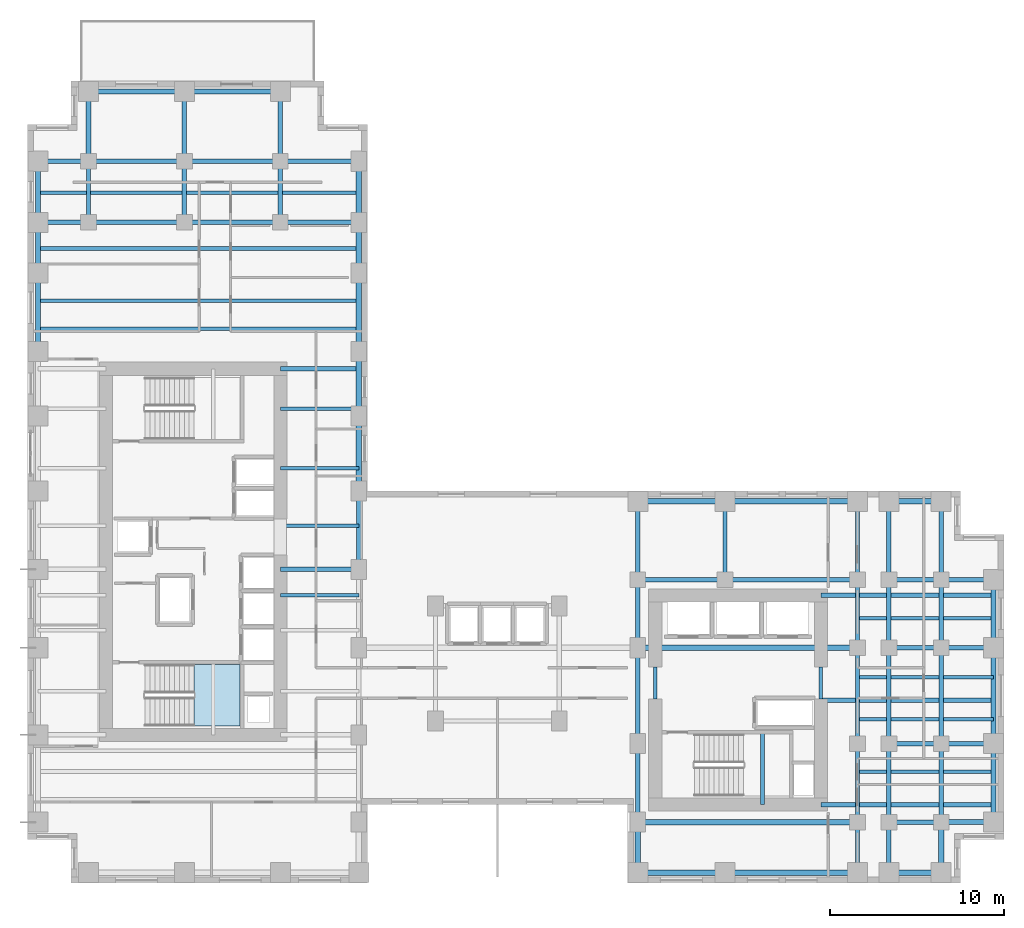
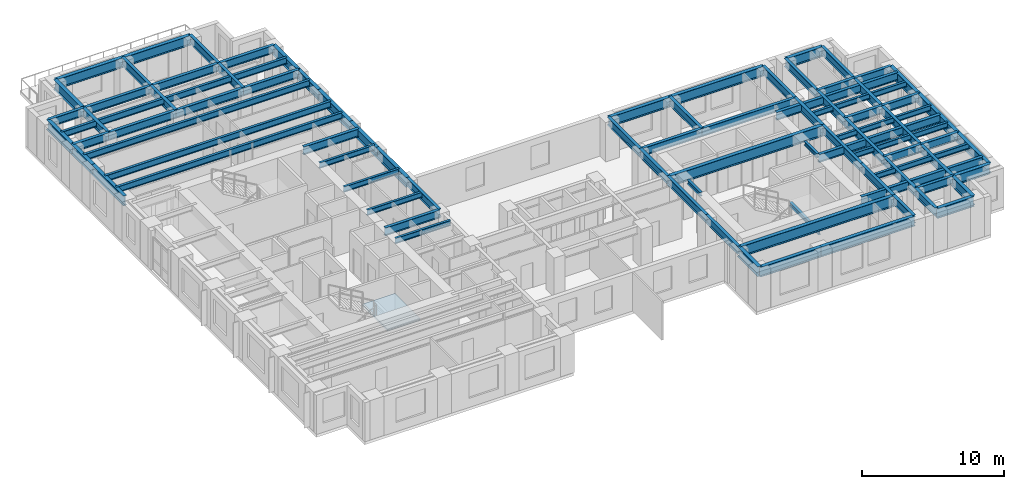
# One storey, part 3 of 13: 87 beams, 1 slab, 1 element without a shape of its own.
"""IFC4 building model written with IfcOpenShell, lengths in metres."""

from ifc_helpers import new_model, si_unit, direction, frame, origin, origin_2d, place, context, subcontext, project, spatial, polyline, i_section, outline, extrude, source, transform, mapped, material, layer, layer_set, material_profile, profile_set, type_object, element, aggregate, save


model = new_model("IFC4")

# Units and contexts
model_context = context("Model", 3, precision=1e-05, world=origin(), true_north=direction((0.0, 1.0)))
body_context = subcontext(model_context, "Body", "Model", "MODEL_VIEW")
ifc_project = project(units=[si_unit("LENGTHUNIT", "METRE"), si_unit("AREAUNIT", "SQUARE_METRE"), si_unit("VOLUMEUNIT", "CUBIC_METRE"), si_unit("PLANEANGLEUNIT", "RADIAN"), si_unit("MASSUNIT", "GRAM", prefix="KILO")], contexts=[model_context])

# Site, building, storey
site_placement = place(None, origin())
site = spatial("IfcSite", under=ifc_project, at=site_placement, CompositionType="ELEMENT")
building_placement = place(site_placement, origin())
building = spatial("IfcBuilding", under=site, at=building_placement, Name="Kharzan Plaza Tower", CompositionType="ELEMENT")
storey_placement = place(building_placement, frame((0.0, 0.0, 77.39990234375)))
storey = spatial("IfcBuildingStorey", under=building, at=storey_placement, Name="L20", CompositionType="ELEMENT", Elevation=77.39990234375)

# Beams
ifc_material_1 = material(Name="Steel S355", Category="steel")
ifc_material_profile_1 = material_profile(ifc_material_1, i_section(OverallWidth=0.205078125, OverallDepth=0.35400390625, WebThickness=0.009521484375, FlangeThickness=0.016845703125, at=origin_2d()), Name="W360x79")
ifc_profile_set_1 = profile_set([ifc_material_profile_1], Name="Steel S355")
beam_type_1 = type_object("IfcBeamType", Name="BM-LNT360", PredefinedType="LINTEL", material=ifc_profile_set_1)
shared_shape_1 = source(origin(), body_context, "Body", "SweptSolid", [
    extrude(i_section(OverallWidth=0.205078125, OverallDepth=0.35400390625, WebThickness=0.009521484375, FlangeThickness=0.016845703125, at=origin_2d()), origin(), (0.0, 0.0, 1.0), 1.849853515625),
])
for number, where, z_axis, x_axis, name in (
    (1, (45.5, 10.550048828125, 3.203125), (0.0, 1.0, 0.0), (-1.0, 0.0, 0.0), "L20 CORE-B coupling lintel LN1-WE"),
    (2, (36.0, 10.550048828125, 3.203125), (0.0, 1.0, 0.0), (-1.0, 0.0, 0.0), "L20 CORE-B coupling lintel LN1-WW"),
):
    element("IfcBeam", number, at=place(storey_placement, frame(where, z_axis=z_axis, x_axis=x_axis)), inside=storey, type_object=beam_type_1, Name=name, PredefinedType="LINTEL", context=body_context, shape_type="MappedRepresentation", body=[
        mapped(shared_shape_1, transform((0.0, 0.0, 0.0), x_axis=(1.0, 0.0, 0.0), y_axis=(0.0, 1.0, 0.0), z_axis=(0.0, 0.0, 1.0))),
    ])
shared_shape_2 = source(origin(), body_context, "Body", "SweptSolid", [
    extrude(i_section(OverallWidth=0.205078125, OverallDepth=0.35400390625, WebThickness=0.009521484375, FlangeThickness=0.016845703125, at=origin_2d()), origin(), (0.0, 0.0, 1.0), 4.155029296875),
])
beam_1_placement = place(storey_placement, frame((42.14990234375, 4.5, 1.423095703125), z_axis=(0.0, 1.0, 0.0), x_axis=(-1.0, 0.0, 0.0)))
element("IfcBeam", 3, at=beam_1_placement, inside=storey, type_object=beam_type_1, Name="L20 Stair ST-3 Half-Landing Beam", PredefinedType="LINTEL", context=body_context, shape_type="MappedRepresentation", body=[
    mapped(shared_shape_2, transform((0.0, 0.0, 0.0), x_axis=(1.0, 0.0, 0.0), y_axis=(0.0, 1.0, 0.0), z_axis=(0.0, 0.0, 1.0))),
])
ifc_material_profile_2 = material_profile(ifc_material_1, i_section(OverallWidth=0.304931640625, OverallDepth=0.9189453125, WebThickness=0.017333984375, FlangeThickness=0.02783203125, at=origin_2d()), Name="W920x253")
ifc_profile_set_2 = profile_set([ifc_material_profile_2], Name="Steel S355")
beam_type_2 = type_object("IfcBeamType", Name="BM-FG920B", PredefinedType="BEAM", material=ifc_profile_set_2)
shared_shape_3 = source(origin(), body_context, "Body", "SweptSolid", [
    extrude(i_section(OverallWidth=0.304931640625, OverallDepth=0.9189453125, WebThickness=0.017333984375, FlangeThickness=0.02783203125, at=origin_2d()), origin(), (0.0, 0.0, 1.0), 12.60009765625),
])
for number, where, z_axis, x_axis, name in (
    (4, (35.0, 3.5, 2.920654296875), (1.0, 0.0, 0.0), (0.0, 1.0, 0.0), "L20 Primary Floor Girder"),
    (5, (35.0, 13.5, 2.920654296875), (1.0, 0.0, 0.0), (0.0, 1.0, 0.0), "L20 Primary Floor Girder"),
):
    element("IfcBeam", number, at=place(storey_placement, frame(where, z_axis=z_axis, x_axis=x_axis)), inside=storey, type_object=beam_type_2, Name=name, PredefinedType="BEAM", context=body_context, shape_type="MappedRepresentation", body=[
        mapped(shared_shape_3, transform((0.0, 0.0, 0.0), x_axis=(1.0, 0.0, 0.0), y_axis=(0.0, 1.0, 0.0), z_axis=(0.0, 0.0, 1.0))),
    ])
ifc_material_profile_3 = material_profile(ifc_material_1, i_section(OverallWidth=0.2099609375, OverallDepth=0.537109375, WebThickness=0.010986328125, FlangeThickness=0.017333984375, at=origin_2d()), Name="W530x101")
ifc_profile_set_3 = profile_set([ifc_material_profile_3], Name="Steel S355")
beam_type_3 = type_object("IfcBeamType", Name="BM-JST530B", PredefinedType="JOIST", material=ifc_profile_set_3)
shared_shape_4 = source(origin(), body_context, "Body", "SweptSolid", [
    extrude(i_section(OverallWidth=0.2099609375, OverallDepth=0.537109375, WebThickness=0.010986328125, FlangeThickness=0.017333984375, at=origin_2d()), origin(), (0.0, 0.0, 1.0), 18.39990234375),
])
for number, where, z_axis, x_axis, name in (
    (6, (0.60009765625, 31.800048828125, 3.111572265625), (1.0, 0.0, 0.0), (0.0, 1.0, 0.0), "L20 Wing A Composite Joist 04"),
    (7, (0.60009765625, 33.39990234375, 3.111572265625), (1.0, 0.0, 0.0), (0.0, 1.0, 0.0), "L20 Wing A Composite Joist 05"),
    (8, (0.60009765625, 36.39990234375, 3.111572265625), (1.0, 0.0, 0.0), (0.0, 1.0, 0.0), "L20 Wing A Composite Joist 06"),
    (9, (0.60009765625, 39.60009765625, 3.111572265625), (1.0, 0.0, 0.0), (0.0, 1.0, 0.0), "L20 Wing A Composite Joist 07"),
):
    element("IfcBeam", number, at=place(storey_placement, frame(where, z_axis=z_axis, x_axis=x_axis)), inside=storey, type_object=beam_type_3, Name=name, PredefinedType="JOIST", context=body_context, shape_type="MappedRepresentation", body=[
        mapped(shared_shape_4, transform((0.0, 0.0, 0.0), x_axis=(1.0, 0.0, 0.0), y_axis=(0.0, 1.0, 0.0), z_axis=(0.0, 0.0, 1.0))),
    ])
ifc_material_profile_4 = material_profile(ifc_material_1, i_section(OverallWidth=0.194091796875, OverallDepth=0.468994140625, WebThickness=0.011474609375, FlangeThickness=0.0205078125, at=origin_2d()), Name="W460x106")
ifc_profile_set_4 = profile_set([ifc_material_profile_4], Name="Steel S355")
beam_type_4 = type_object("IfcBeamType", Name="BM-JST460", PredefinedType="JOIST", material=ifc_profile_set_4)
shared_shape_5 = source(origin(), body_context, "Body", "SweptSolid", [
    extrude(i_section(OverallWidth=0.194091796875, OverallDepth=0.468994140625, WebThickness=0.011474609375, FlangeThickness=0.0205078125, at=origin_2d()), origin(), (0.0, 0.0, 1.0), 4.5),
])
for number, where, z_axis, x_axis, name in (
    (10, (14.5, 16.5, 3.1455078125), (1.0, 0.0, 0.0), (0.0, 1.0, 0.0), "L20 Wing A East Infill Joist 3"),
    (11, (14.5, 20.5, 3.1455078125), (1.0, 0.0, 0.0), (0.0, 1.0, 0.0), "L20 Wing A East Infill Joist 4"),
    (12, (14.5, 23.800048828125, 3.1455078125), (1.0, 0.0, 0.0), (0.0, 1.0, 0.0), "L20 Wing A East Infill Joist 5"),
    (13, (14.5, 27.199951171875, 3.1455078125), (1.0, 0.0, 0.0), (0.0, 1.0, 0.0), "L20 Wing A East Infill Joist 6"),
):
    element("IfcBeam", number, at=place(storey_placement, frame(where, z_axis=z_axis, x_axis=x_axis)), inside=storey, type_object=beam_type_4, Name=name, PredefinedType="JOIST", context=body_context, shape_type="MappedRepresentation", body=[
        mapped(shared_shape_5, transform((0.0, 0.0, 0.0), x_axis=(1.0, 0.0, 0.0), y_axis=(0.0, 1.0, 0.0), z_axis=(0.0, 0.0, 1.0))),
    ])
ifc_material_profile_5 = material_profile(ifc_material_1, i_section(OverallWidth=0.25390625, OverallDepth=0.68798828125, WebThickness=0.01318359375, FlangeThickness=0.02099609375, at=origin_2d()), Name="W690x152")
ifc_profile_set_5 = profile_set([ifc_material_profile_5], Name="Steel S355")
beam_type_5 = type_object("IfcBeamType", Name="BM-FG690B", PredefinedType="BEAM", material=ifc_profile_set_5)
shared_shape_6 = source(origin(), body_context, "Body", "SweptSolid", [
    extrude(i_section(OverallWidth=0.25390625, OverallDepth=0.68798828125, WebThickness=0.01318359375, FlangeThickness=0.02099609375, at=origin_2d()), origin(), (0.0, 0.0, 1.0), 4.5),
])
for number, where, z_axis, x_axis, name in (
    (14, (14.5, 18.0, 3.0361328125), (1.0, 0.0, 0.0), (0.0, 1.0, 0.0), "L20 Core-A East Floor Girder 2"),
    (15, (14.5, 29.5, 3.0361328125), (1.0, 0.0, 0.0), (0.0, 1.0, 0.0), "L20 Core-A East Floor Girder 3"),
    (16, (19.0, 18.0, 3.0361328125), (0.0, 1.0, 0.0), (-1.0, 0.0, 0.0), "L20 Interior Frame Girder"),
    (17, (35.0, 3.5, 3.0361328125), (0.0, 1.0, 0.0), (-1.0, 0.0, 0.0), "L20 Interior Frame Girder"),
    (18, (35.0, 17.39990234375, 3.0361328125), (0.0, 1.0, 0.0), (-1.0, 0.0, 0.0), "L20 Interior Frame Girder"),
    (19, (40.0, 17.39990234375, 3.0361328125), (0.0, 1.0, 0.0), (-1.0, 0.0, 0.0), "L20 Interior Frame Girder"),
    (20, (47.60009765625, 3.5, 3.0361328125), (0.0, 1.0, 0.0), (-1.0, 0.0, 0.0), "L20 Interior Frame Girder"),
    (21, (47.60009765625, 17.39990234375, 3.0361328125), (0.0, 1.0, 0.0), (-1.0, 0.0, 0.0), "L20 Interior Frame Girder"),
    (22, (49.39990234375, 3.5, 3.0361328125), (0.0, 1.0, 0.0), (-1.0, 0.0, 0.0), "L20 Interior Frame Girder"),
    (23, (49.39990234375, 17.39990234375, 3.0361328125), (0.0, 1.0, 0.0), (-1.0, 0.0, 0.0), "L20 Interior Frame Girder"),
    (24, (52.39990234375, 3.5, 3.0361328125), (0.0, 1.0, 0.0), (-1.0, 0.0, 0.0), "L20 Interior Frame Girder"),
    (25, (52.39990234375, 17.39990234375, 3.0361328125), (0.0, 1.0, 0.0), (-1.0, 0.0, 0.0), "L20 Interior Frame Girder"),
    (26, (14.5, 37.89990234375, 3.0361328125), (1.0, 0.0, 0.0), (0.0, 1.0, 0.0), "L20 Primary Floor Girder"),
    (27, (14.5, 41.39990234375, 3.0361328125), (1.0, 0.0, 0.0), (0.0, 1.0, 0.0), "L20 Primary Floor Girder"),
):
    element("IfcBeam", number, at=place(storey_placement, frame(where, z_axis=z_axis, x_axis=x_axis)), inside=storey, type_object=beam_type_5, Name=name, PredefinedType="BEAM", context=body_context, shape_type="MappedRepresentation", body=[
        mapped(shared_shape_6, transform((0.0, 0.0, 0.0), x_axis=(1.0, 0.0, 0.0), y_axis=(0.0, 1.0, 0.0), z_axis=(0.0, 0.0, 1.0))),
    ])
shared_shape_7 = source(origin(), body_context, "Body", "SweptSolid", [
    extrude(i_section(OverallWidth=0.25390625, OverallDepth=0.68798828125, WebThickness=0.01318359375, FlangeThickness=0.02099609375, at=origin_2d()), origin(), (0.0, 0.0, 1.0), 3.89990234375),
])
for number, where, z_axis, x_axis, name in (
    (28, (35.0, 13.5, 3.0361328125), (0.0, 1.0, 0.0), (-1.0, 0.0, 0.0), "L20 Interior Frame Girder"),
    (29, (47.60009765625, 13.5, 3.0361328125), (0.0, 1.0, 0.0), (-1.0, 0.0, 0.0), "L20 Interior Frame Girder"),
    (30, (49.39990234375, 13.5, 3.0361328125), (0.0, 1.0, 0.0), (-1.0, 0.0, 0.0), "L20 Interior Frame Girder"),
    (31, (52.39990234375, 13.5, 3.0361328125), (0.0, 1.0, 0.0), (-1.0, 0.0, 0.0), "L20 Interior Frame Girder"),
):
    element("IfcBeam", number, at=place(storey_placement, frame(where, z_axis=z_axis, x_axis=x_axis)), inside=storey, type_object=beam_type_5, Name=name, PredefinedType="BEAM", context=body_context, shape_type="MappedRepresentation", body=[
        mapped(shared_shape_7, transform((0.0, 0.0, 0.0), x_axis=(1.0, 0.0, 0.0), y_axis=(0.0, 1.0, 0.0), z_axis=(0.0, 0.0, 1.0))),
    ])
shared_shape_8 = source(origin(), body_context, "Body", "SweptSolid", [
    extrude(i_section(OverallWidth=0.25390625, OverallDepth=0.68798828125, WebThickness=0.01318359375, FlangeThickness=0.02099609375, at=origin_2d()), origin(), (0.0, 0.0, 1.0), 9.89990234375),
])
for number, where, z_axis, x_axis, name in (
    (32, (45.5, 4.5, 3.0361328125), (1.0, 0.0, 0.0), (0.0, 1.0, 0.0), "L20 Core-B East Floor Girder 1"),
    (33, (45.5, 10.5, 3.0361328125), (1.0, 0.0, 0.0), (0.0, 1.0, 0.0), "L20 Core-B East Floor Girder 2"),
    (34, (45.5, 16.5, 3.0361328125), (1.0, 0.0, 0.0), (0.0, 1.0, 0.0), "L20 Core-B East Floor Girder 3"),
):
    element("IfcBeam", number, at=place(storey_placement, frame(where, z_axis=z_axis, x_axis=x_axis)), inside=storey, type_object=beam_type_5, Name=name, PredefinedType="BEAM", context=body_context, shape_type="MappedRepresentation", body=[
        mapped(shared_shape_8, transform((0.0, 0.0, 0.0), x_axis=(1.0, 0.0, 0.0), y_axis=(0.0, 1.0, 0.0), z_axis=(0.0, 0.0, 1.0))),
    ])
shared_shape_9 = source(origin(), body_context, "Body", "SweptSolid", [
    extrude(i_section(OverallWidth=0.25390625, OverallDepth=0.68798828125, WebThickness=0.01318359375, FlangeThickness=0.02099609375, at=origin_2d()), origin(), (0.0, 0.0, 1.0), 3.5),
])
for number, where, z_axis, x_axis, name in (
    (35, (3.5, 37.89990234375, 3.0361328125), (0.0, 1.0, 0.0), (-1.0, 0.0, 0.0), "L20 Interior Frame Girder"),
    (36, (9.0, 37.89990234375, 3.0361328125), (0.0, 1.0, 0.0), (-1.0, 0.0, 0.0), "L20 Interior Frame Girder"),
    (37, (14.5, 37.89990234375, 3.0361328125), (0.0, 1.0, 0.0), (-1.0, 0.0, 0.0), "L20 Interior Frame Girder"),
):
    element("IfcBeam", number, at=place(storey_placement, frame(where, z_axis=z_axis, x_axis=x_axis)), inside=storey, type_object=beam_type_5, Name=name, PredefinedType="BEAM", context=body_context, shape_type="MappedRepresentation", body=[
        mapped(shared_shape_9, transform((0.0, 0.0, 0.0), x_axis=(1.0, 0.0, 0.0), y_axis=(0.0, 1.0, 0.0), z_axis=(0.0, 0.0, 1.0))),
    ])
shared_shape_10 = source(origin(), body_context, "Body", "SweptSolid", [
    extrude(i_section(OverallWidth=0.25390625, OverallDepth=0.68798828125, WebThickness=0.01318359375, FlangeThickness=0.02099609375, at=origin_2d()), origin(), (0.0, 0.0, 1.0), 4.0),
])
for number, where, z_axis, x_axis, name in (
    (38, (9.0, 41.39990234375, 3.0361328125), (0.0, 1.0, 0.0), (-1.0, 0.0, 0.0), "L20 Interior Frame Girder"),
    (39, (14.5, 41.39990234375, 3.0361328125), (0.0, 1.0, 0.0), (-1.0, 0.0, 0.0), "L20 Interior Frame Girder"),
):
    element("IfcBeam", number, at=place(storey_placement, frame(where, z_axis=z_axis, x_axis=x_axis)), inside=storey, type_object=beam_type_5, Name=name, PredefinedType="BEAM", context=body_context, shape_type="MappedRepresentation", body=[
        mapped(shared_shape_10, transform((0.0, 0.0, 0.0), x_axis=(1.0, 0.0, 0.0), y_axis=(0.0, 1.0, 0.0), z_axis=(0.0, 0.0, 1.0))),
    ])
shared_shape_11 = source(origin(), body_context, "Body", "SweptSolid", [
    extrude(i_section(OverallWidth=0.25390625, OverallDepth=0.68798828125, WebThickness=0.01318359375, FlangeThickness=0.02099609375, at=origin_2d()), origin(), (0.0, 0.0, 1.0), 5.0),
])
beam_2_placement = place(storey_placement, frame((35.0, 17.39990234375, 3.0361328125), z_axis=(1.0, 0.0, 0.0), x_axis=(0.0, 1.0, 0.0)))
element("IfcBeam", 40, at=beam_2_placement, inside=storey, type_object=beam_type_5, Name="L20 Primary Floor Girder", PredefinedType="BEAM", context=body_context, shape_type="MappedRepresentation", body=[
    mapped(shared_shape_11, transform((0.0, 0.0, 0.0), x_axis=(1.0, 0.0, 0.0), y_axis=(0.0, 1.0, 0.0), z_axis=(0.0, 0.0, 1.0))),
])
shared_shape_12 = source(origin(), body_context, "Body", "SweptSolid", [
    extrude(i_section(OverallWidth=0.25390625, OverallDepth=0.68798828125, WebThickness=0.01318359375, FlangeThickness=0.02099609375, at=origin_2d()), origin(), (0.0, 0.0, 1.0), 5.5),
])
for number, where, z_axis, x_axis, name in (
    (41, (35.0, 8.0, 3.0361328125), (0.0, 1.0, 0.0), (-1.0, 0.0, 0.0), "L20 Interior Frame Girder"),
    (42, (47.60009765625, 8.0, 3.0361328125), (0.0, 1.0, 0.0), (-1.0, 0.0, 0.0), "L20 Interior Frame Girder"),
    (43, (49.39990234375, 8.0, 3.0361328125), (0.0, 1.0, 0.0), (-1.0, 0.0, 0.0), "L20 Interior Frame Girder"),
    (44, (52.39990234375, 8.0, 3.0361328125), (0.0, 1.0, 0.0), (-1.0, 0.0, 0.0), "L20 Interior Frame Girder"),
    (45, (3.5, 37.89990234375, 3.0361328125), (1.0, 0.0, 0.0), (0.0, 1.0, 0.0), "L20 Primary Floor Girder"),
    (46, (9.0, 37.89990234375, 3.0361328125), (1.0, 0.0, 0.0), (0.0, 1.0, 0.0), "L20 Primary Floor Girder"),
    (47, (3.5, 41.39990234375, 3.0361328125), (1.0, 0.0, 0.0), (0.0, 1.0, 0.0), "L20 Primary Floor Girder"),
    (48, (9.0, 41.39990234375, 3.0361328125), (1.0, 0.0, 0.0), (0.0, 1.0, 0.0), "L20 Primary Floor Girder"),
):
    element("IfcBeam", number, at=place(storey_placement, frame(where, z_axis=z_axis, x_axis=x_axis)), inside=storey, type_object=beam_type_5, Name=name, PredefinedType="BEAM", context=body_context, shape_type="MappedRepresentation", body=[
        mapped(shared_shape_12, transform((0.0, 0.0, 0.0), x_axis=(1.0, 0.0, 0.0), y_axis=(0.0, 1.0, 0.0), z_axis=(0.0, 0.0, 1.0))),
    ])
shared_shape_13 = source(origin(), body_context, "Body", "SweptSolid", [
    extrude(i_section(OverallWidth=0.25390625, OverallDepth=0.68798828125, WebThickness=0.01318359375, FlangeThickness=0.02099609375, at=origin_2d()), origin(), (0.0, 0.0, 1.0), 2.89990234375),
])
for number, where, z_axis, x_axis, name in (
    (49, (47.60009765625, 0.60009765625, 3.0361328125), (0.0, 1.0, 0.0), (-1.0, 0.0, 0.0), "L20 Interior Frame Girder"),
    (50, (49.39990234375, 0.60009765625, 3.0361328125), (0.0, 1.0, 0.0), (-1.0, 0.0, 0.0), "L20 Interior Frame Girder"),
    (51, (0.60009765625, 37.89990234375, 3.0361328125), (1.0, 0.0, 0.0), (0.0, 1.0, 0.0), "L20 Primary Floor Girder"),
    (52, (0.60009765625, 41.39990234375, 3.0361328125), (1.0, 0.0, 0.0), (0.0, 1.0, 0.0), "L20 Primary Floor Girder"),
):
    element("IfcBeam", number, at=place(storey_placement, frame(where, z_axis=z_axis, x_axis=x_axis)), inside=storey, type_object=beam_type_5, Name=name, PredefinedType="BEAM", context=body_context, shape_type="MappedRepresentation", body=[
        mapped(shared_shape_13, transform((0.0, 0.0, 0.0), x_axis=(1.0, 0.0, 0.0), y_axis=(0.0, 1.0, 0.0), z_axis=(0.0, 0.0, 1.0))),
    ])
shared_shape_14 = source(origin(), body_context, "Body", "SweptSolid", [
    extrude(i_section(OverallWidth=0.25390625, OverallDepth=0.68798828125, WebThickness=0.01318359375, FlangeThickness=0.02099609375, at=origin_2d()), origin(), (0.0, 0.0, 1.0), 3.0),
])
for number, where, z_axis, x_axis, name in (
    (53, (49.39990234375, 3.5, 3.0361328125), (1.0, 0.0, 0.0), (0.0, 1.0, 0.0), "L20 Primary Floor Girder"),
    (54, (49.39990234375, 8.0, 3.0361328125), (1.0, 0.0, 0.0), (0.0, 1.0, 0.0), "L20 Primary Floor Girder"),
    (55, (52.39990234375, 8.0, 3.0361328125), (1.0, 0.0, 0.0), (0.0, 1.0, 0.0), "L20 Primary Floor Girder"),
    (56, (49.39990234375, 13.5, 3.0361328125), (1.0, 0.0, 0.0), (0.0, 1.0, 0.0), "L20 Primary Floor Girder"),
    (57, (52.39990234375, 13.5, 3.0361328125), (1.0, 0.0, 0.0), (0.0, 1.0, 0.0), "L20 Primary Floor Girder"),
    (58, (49.39990234375, 17.39990234375, 3.0361328125), (1.0, 0.0, 0.0), (0.0, 1.0, 0.0), "L20 Primary Floor Girder"),
    (59, (52.39990234375, 17.39990234375, 3.0361328125), (1.0, 0.0, 0.0), (0.0, 1.0, 0.0), "L20 Primary Floor Girder"),
):
    element("IfcBeam", number, at=place(storey_placement, frame(where, z_axis=z_axis, x_axis=x_axis)), inside=storey, type_object=beam_type_5, Name=name, PredefinedType="BEAM", context=body_context, shape_type="MappedRepresentation", body=[
        mapped(shared_shape_14, transform((0.0, 0.0, 0.0), x_axis=(1.0, 0.0, 0.0), y_axis=(0.0, 1.0, 0.0), z_axis=(0.0, 0.0, 1.0))),
    ])
shared_shape_15 = source(origin(), body_context, "Body", "SweptSolid", [
    extrude(i_section(OverallWidth=0.25390625, OverallDepth=0.68798828125, WebThickness=0.01318359375, FlangeThickness=0.02099609375, at=origin_2d()), origin(), (0.0, 0.0, 1.0), 7.60009765625),
])
beam_3_placement = place(storey_placement, frame((40.0, 17.39990234375, 3.0361328125), z_axis=(1.0, 0.0, 0.0), x_axis=(0.0, 1.0, 0.0)))
element("IfcBeam", 60, at=beam_3_placement, inside=storey, type_object=beam_type_5, Name="L20 Primary Floor Girder", PredefinedType="BEAM", context=body_context, shape_type="MappedRepresentation", body=[
    mapped(shared_shape_15, transform((0.0, 0.0, 0.0), x_axis=(1.0, 0.0, 0.0), y_axis=(0.0, 1.0, 0.0), z_axis=(0.0, 0.0, 1.0))),
])
shared_shape_16 = source(origin(), body_context, "Body", "SweptSolid", [
    extrude(i_section(OverallWidth=0.194091796875, OverallDepth=0.468994140625, WebThickness=0.011474609375, FlangeThickness=0.0205078125, at=origin_2d()), origin(), (0.0, 0.0, 1.0), 7.7998046875),
])
for number, where, z_axis, x_axis, name in (
    (61, (47.60009765625, 6.39990234375, 3.1455078125), (1.0, 0.0, 0.0), (0.0, 1.0, 0.0), "L20 Wing B Composite Joist 02"),
    (62, (47.60009765625, 9.39990234375, 3.1455078125), (1.0, 0.0, 0.0), (0.0, 1.0, 0.0), "L20 Wing B Composite Joist 03"),
    (63, (47.60009765625, 11.800048828125, 3.1455078125), (1.0, 0.0, 0.0), (0.0, 1.0, 0.0), "L20 Wing B Composite Joist 04"),
    (64, (47.60009765625, 15.199951171875, 3.1455078125), (1.0, 0.0, 0.0), (0.0, 1.0, 0.0), "L20 Wing B Composite Joist 05"),
):
    element("IfcBeam", number, at=place(storey_placement, frame(where, z_axis=z_axis, x_axis=x_axis)), inside=storey, type_object=beam_type_4, Name=name, PredefinedType="JOIST", context=body_context, shape_type="MappedRepresentation", body=[
        mapped(shared_shape_16, transform((0.0, 0.0, 0.0), x_axis=(1.0, 0.0, 0.0), y_axis=(0.0, 1.0, 0.0), z_axis=(0.0, 0.0, 1.0))),
    ])
ifc_material_profile_6 = material_profile(ifc_material_1, i_section(OverallWidth=0.299072265625, OverallDepth=0.845947265625, WebThickness=0.015380859375, FlangeThickness=0.0244140625, at=origin_2d()), Name="W840x210")
ifc_profile_set_6 = profile_set([ifc_material_profile_6], Name="Steel S355")
beam_type_6 = type_object("IfcBeamType", Name="BM-SP840B", PredefinedType="SPANDREL", material=ifc_profile_set_6)
shared_shape_17 = source(origin(), body_context, "Body", "SweptSolid", [
    extrude(i_section(OverallWidth=0.299072265625, OverallDepth=0.845947265625, WebThickness=0.015380859375, FlangeThickness=0.0244140625, at=origin_2d()), origin(), (0.0, 0.0, 1.0), 5.0),
])
for number, where, z_axis, x_axis, name in (
    (65, (35.0, 0.60009765625, 2.95703125), (1.0, 0.0, 0.0), (0.0, 1.0, 0.0), "L20 Perimeter Tube Spandrel"),
    (66, (35.0, 21.89990234375, 2.95703125), (1.0, 0.0, 0.0), (0.0, 1.0, 0.0), "L20 Perimeter Tube Spandrel"),
):
    element("IfcBeam", number, at=place(storey_placement, frame(where, z_axis=z_axis, x_axis=x_axis)), inside=storey, type_object=beam_type_6, Name=name, PredefinedType="SPANDREL", context=body_context, shape_type="MappedRepresentation", body=[
        mapped(shared_shape_17, transform((0.0, 0.0, 0.0), x_axis=(1.0, 0.0, 0.0), y_axis=(0.0, 1.0, 0.0), z_axis=(0.0, 0.0, 1.0))),
    ])
shared_shape_18 = source(origin(), body_context, "Body", "SweptSolid", [
    extrude(i_section(OverallWidth=0.299072265625, OverallDepth=0.845947265625, WebThickness=0.015380859375, FlangeThickness=0.0244140625, at=origin_2d()), origin(), (0.0, 0.0, 1.0), 4.5),
])
for number, where, z_axis, x_axis, name in (
    (67, (0.60009765625, 30.5, 2.95703125), (0.0, 1.0, 0.0), (-1.0, 0.0, 0.0), "L20 Perimeter Tube Spandrel"),
    (68, (19.0, 30.5, 2.95703125), (0.0, 1.0, 0.0), (-1.0, 0.0, 0.0), "L20 Perimeter Tube Spandrel"),
    (69, (55.39990234375, 3.5, 2.95703125), (0.0, 1.0, 0.0), (-1.0, 0.0, 0.0), "L20 Perimeter Tube Spandrel"),
):
    element("IfcBeam", number, at=place(storey_placement, frame(where, z_axis=z_axis, x_axis=x_axis)), inside=storey, type_object=beam_type_6, Name=name, PredefinedType="SPANDREL", context=body_context, shape_type="MappedRepresentation", body=[
        mapped(shared_shape_18, transform((0.0, 0.0, 0.0), x_axis=(1.0, 0.0, 0.0), y_axis=(0.0, 1.0, 0.0), z_axis=(0.0, 0.0, 1.0))),
    ])
shared_shape_19 = source(origin(), body_context, "Body", "SweptSolid", [
    extrude(i_section(OverallWidth=0.299072265625, OverallDepth=0.845947265625, WebThickness=0.015380859375, FlangeThickness=0.0244140625, at=origin_2d()), origin(), (0.0, 0.0, 1.0), 4.300048828125),
])
beam_4_placement = place(storey_placement, frame((19.0, 22.5, 2.95703125), z_axis=(0.0, 1.0, 0.0), x_axis=(-1.0, 0.0, 0.0)))
element("IfcBeam", 70, at=beam_4_placement, inside=storey, type_object=beam_type_6, Name="L20 Perimeter Tube Spandrel", PredefinedType="SPANDREL", context=body_context, shape_type="MappedRepresentation", body=[
    mapped(shared_shape_19, transform((0.0, 0.0, 0.0), x_axis=(1.0, 0.0, 0.0), y_axis=(0.0, 1.0, 0.0), z_axis=(0.0, 0.0, 1.0))),
])
shared_shape_20 = source(origin(), body_context, "Body", "SweptSolid", [
    extrude(i_section(OverallWidth=0.299072265625, OverallDepth=0.845947265625, WebThickness=0.015380859375, FlangeThickness=0.0244140625, at=origin_2d()), origin(), (0.0, 0.0, 1.0), 3.699951171875),
])
beam_5_placement = place(storey_placement, frame((19.0, 26.800048828125, 2.95703125), z_axis=(0.0, 1.0, 0.0), x_axis=(-1.0, 0.0, 0.0)))
element("IfcBeam", 71, at=beam_5_placement, inside=storey, type_object=beam_type_6, Name="L20 Perimeter Tube Spandrel", PredefinedType="SPANDREL", context=body_context, shape_type="MappedRepresentation", body=[
    mapped(shared_shape_20, transform((0.0, 0.0, 0.0), x_axis=(1.0, 0.0, 0.0), y_axis=(0.0, 1.0, 0.0), z_axis=(0.0, 0.0, 1.0))),
])
shared_shape_21 = source(origin(), body_context, "Body", "SweptSolid", [
    extrude(i_section(OverallWidth=0.299072265625, OverallDepth=0.845947265625, WebThickness=0.015380859375, FlangeThickness=0.0244140625, at=origin_2d()), origin(), (0.0, 0.0, 1.0), 2.89990234375),
])
for number, where, z_axis, x_axis, name in (
    (72, (0.60009765625, 35.0, 2.95703125), (0.0, 1.0, 0.0), (-1.0, 0.0, 0.0), "L20 Perimeter Tube Spandrel"),
    (73, (19.0, 35.0, 2.95703125), (0.0, 1.0, 0.0), (-1.0, 0.0, 0.0), "L20 Perimeter Tube Spandrel"),
    (74, (35.0, 0.60009765625, 2.95703125), (0.0, 1.0, 0.0), (-1.0, 0.0, 0.0), "L20 Perimeter Tube Spandrel"),
    (75, (52.39990234375, 0.60009765625, 2.95703125), (0.0, 1.0, 0.0), (-1.0, 0.0, 0.0), "L20 Perimeter Tube Spandrel"),
):
    element("IfcBeam", number, at=place(storey_placement, frame(where, z_axis=z_axis, x_axis=x_axis)), inside=storey, type_object=beam_type_6, Name=name, PredefinedType="SPANDREL", context=body_context, shape_type="MappedRepresentation", body=[
        mapped(shared_shape_21, transform((0.0, 0.0, 0.0), x_axis=(1.0, 0.0, 0.0), y_axis=(0.0, 1.0, 0.0), z_axis=(0.0, 0.0, 1.0))),
    ])
shared_shape_22 = source(origin(), body_context, "Body", "SweptSolid", [
    extrude(i_section(OverallWidth=0.299072265625, OverallDepth=0.845947265625, WebThickness=0.015380859375, FlangeThickness=0.0244140625, at=origin_2d()), origin(), (0.0, 0.0, 1.0), 3.5),
])
for number, where, z_axis, x_axis, name in (
    (76, (0.60009765625, 37.89990234375, 2.95703125), (0.0, 1.0, 0.0), (-1.0, 0.0, 0.0), "L20 Perimeter Tube Spandrel"),
    (77, (19.0, 37.89990234375, 2.95703125), (0.0, 1.0, 0.0), (-1.0, 0.0, 0.0), "L20 Perimeter Tube Spandrel"),
):
    element("IfcBeam", number, at=place(storey_placement, frame(where, z_axis=z_axis, x_axis=x_axis)), inside=storey, type_object=beam_type_6, Name=name, PredefinedType="SPANDREL", context=body_context, shape_type="MappedRepresentation", body=[
        mapped(shared_shape_22, transform((0.0, 0.0, 0.0), x_axis=(1.0, 0.0, 0.0), y_axis=(0.0, 1.0, 0.0), z_axis=(0.0, 0.0, 1.0))),
    ])
shared_shape_23 = source(origin(), body_context, "Body", "SweptSolid", [
    extrude(i_section(OverallWidth=0.299072265625, OverallDepth=0.845947265625, WebThickness=0.015380859375, FlangeThickness=0.0244140625, at=origin_2d()), origin(), (0.0, 0.0, 1.0), 4.0),
])
beam_6_placement = place(storey_placement, frame((3.5, 41.39990234375, 2.95703125), z_axis=(0.0, 1.0, 0.0), x_axis=(-1.0, 0.0, 0.0)))
element("IfcBeam", 78, at=beam_6_placement, inside=storey, type_object=beam_type_6, Name="L20 Perimeter Tube Spandrel", PredefinedType="SPANDREL", context=body_context, shape_type="MappedRepresentation", body=[
    mapped(shared_shape_23, transform((0.0, 0.0, 0.0), x_axis=(1.0, 0.0, 0.0), y_axis=(0.0, 1.0, 0.0), z_axis=(0.0, 0.0, 1.0))),
])
shared_shape_24 = source(origin(), body_context, "Body", "SweptSolid", [
    extrude(i_section(OverallWidth=0.299072265625, OverallDepth=0.845947265625, WebThickness=0.015380859375, FlangeThickness=0.0244140625, at=origin_2d()), origin(), (0.0, 0.0, 1.0), 5.5),
])
for number, where, z_axis, x_axis, name in (
    (79, (55.39990234375, 8.0, 2.95703125), (0.0, 1.0, 0.0), (-1.0, 0.0, 0.0), "L20 Perimeter Tube Spandrel"),
    (80, (3.5, 45.39990234375, 2.95703125), (1.0, 0.0, 0.0), (0.0, 1.0, 0.0), "L20 Perimeter Tube Spandrel"),
    (81, (9.0, 45.39990234375, 2.95703125), (1.0, 0.0, 0.0), (0.0, 1.0, 0.0), "L20 Perimeter Tube Spandrel"),
):
    element("IfcBeam", number, at=place(storey_placement, frame(where, z_axis=z_axis, x_axis=x_axis)), inside=storey, type_object=beam_type_6, Name=name, PredefinedType="SPANDREL", context=body_context, shape_type="MappedRepresentation", body=[
        mapped(shared_shape_24, transform((0.0, 0.0, 0.0), x_axis=(1.0, 0.0, 0.0), y_axis=(0.0, 1.0, 0.0), z_axis=(0.0, 0.0, 1.0))),
    ])
shared_shape_25 = source(origin(), body_context, "Body", "SweptSolid", [
    extrude(i_section(OverallWidth=0.299072265625, OverallDepth=0.845947265625, WebThickness=0.015380859375, FlangeThickness=0.0244140625, at=origin_2d()), origin(), (0.0, 0.0, 1.0), 3.89990234375),
])
beam_7_placement = place(storey_placement, frame((55.39990234375, 13.5, 2.95703125), z_axis=(0.0, 1.0, 0.0), x_axis=(-1.0, 0.0, 0.0)))
element("IfcBeam", 82, at=beam_7_placement, inside=storey, type_object=beam_type_6, Name="L20 Perimeter Tube Spandrel", PredefinedType="SPANDREL", context=body_context, shape_type="MappedRepresentation", body=[
    mapped(shared_shape_25, transform((0.0, 0.0, 0.0), x_axis=(1.0, 0.0, 0.0), y_axis=(0.0, 1.0, 0.0), z_axis=(0.0, 0.0, 1.0))),
])
shared_shape_26 = source(origin(), body_context, "Body", "SweptSolid", [
    extrude(i_section(OverallWidth=0.299072265625, OverallDepth=0.845947265625, WebThickness=0.015380859375, FlangeThickness=0.0244140625, at=origin_2d()), origin(), (0.0, 0.0, 1.0), 7.60009765625),
])
for number, where, z_axis, x_axis, name in (
    (83, (40.0, 0.60009765625, 2.95703125), (1.0, 0.0, 0.0), (0.0, 1.0, 0.0), "L20 Perimeter Tube Spandrel"),
    (84, (40.0, 21.89990234375, 2.95703125), (1.0, 0.0, 0.0), (0.0, 1.0, 0.0), "L20 Perimeter Tube Spandrel"),
):
    element("IfcBeam", number, at=place(storey_placement, frame(where, z_axis=z_axis, x_axis=x_axis)), inside=storey, type_object=beam_type_6, Name=name, PredefinedType="SPANDREL", context=body_context, shape_type="MappedRepresentation", body=[
        mapped(shared_shape_26, transform((0.0, 0.0, 0.0), x_axis=(1.0, 0.0, 0.0), y_axis=(0.0, 1.0, 0.0), z_axis=(0.0, 0.0, 1.0))),
    ])
shared_shape_27 = source(origin(), body_context, "Body", "SweptSolid", [
    extrude(i_section(OverallWidth=0.299072265625, OverallDepth=0.845947265625, WebThickness=0.015380859375, FlangeThickness=0.0244140625, at=origin_2d()), origin(), (0.0, 0.0, 1.0), 3.0),
])
for number, where, z_axis, x_axis, name in (
    (85, (49.39990234375, 0.60009765625, 2.95703125), (1.0, 0.0, 0.0), (0.0, 1.0, 0.0), "L20 Perimeter Tube Spandrel"),
    (86, (52.39990234375, 3.5, 2.95703125), (1.0, 0.0, 0.0), (0.0, 1.0, 0.0), "L20 Perimeter Tube Spandrel"),
    (87, (49.39990234375, 21.89990234375, 2.95703125), (1.0, 0.0, 0.0), (0.0, 1.0, 0.0), "L20 Perimeter Tube Spandrel"),
):
    element("IfcBeam", number, at=place(storey_placement, frame(where, z_axis=z_axis, x_axis=x_axis)), inside=storey, type_object=beam_type_6, Name=name, PredefinedType="SPANDREL", context=body_context, shape_type="MappedRepresentation", body=[
        mapped(shared_shape_27, transform((0.0, 0.0, 0.0), x_axis=(1.0, 0.0, 0.0), y_axis=(0.0, 1.0, 0.0), z_axis=(0.0, 0.0, 1.0))),
    ])

# Stair, slab
ifc_material_2 = material(Name="Concrete C40/50", Category="concrete")
stair_type = type_object("IfcStairType", Name="STR-ST-1", PredefinedType="HALF_TURN_STAIR", material=ifc_material_2)
stair_placement = place(storey_placement, origin())
stair = element("IfcStair", 88, at=stair_placement, inside=storey, type_object=stair_type, Name="L20 Protected Exit Stair ST-1", PredefinedType="HALF_TURN_STAIR")
ifc_layer = layer(ifc_material_2, 0.219970703125)
ifc_layer_set = layer_set([ifc_layer], Name="Concrete C40/50")
slab_type = type_object("IfcSlabType", Name="SL-LANDING-220", PredefinedType="LANDING", material=ifc_layer_set)
slab_placement = place(storey_placement, frame((0.0, 0.0, 1.60009765625)))
slab = element("IfcSlab", 89, at=slab_placement, type_object=slab_type, Name="ST-1 landing 1", PredefinedType="LANDING", context=body_context, shape_type="SweptSolid", body=[
    extrude(outline(polyline([(9.550048828125, 9.0), (12.199951171875, 9.0), (12.199951171875, 12.550048828125), (9.550048828125, 12.550048828125), (9.550048828125, 9.0)])), origin(), (0.0, 0.0, 1.0), 0.199951171875),
])
aggregate(stair, [slab])

save(model, "model.ifc")
